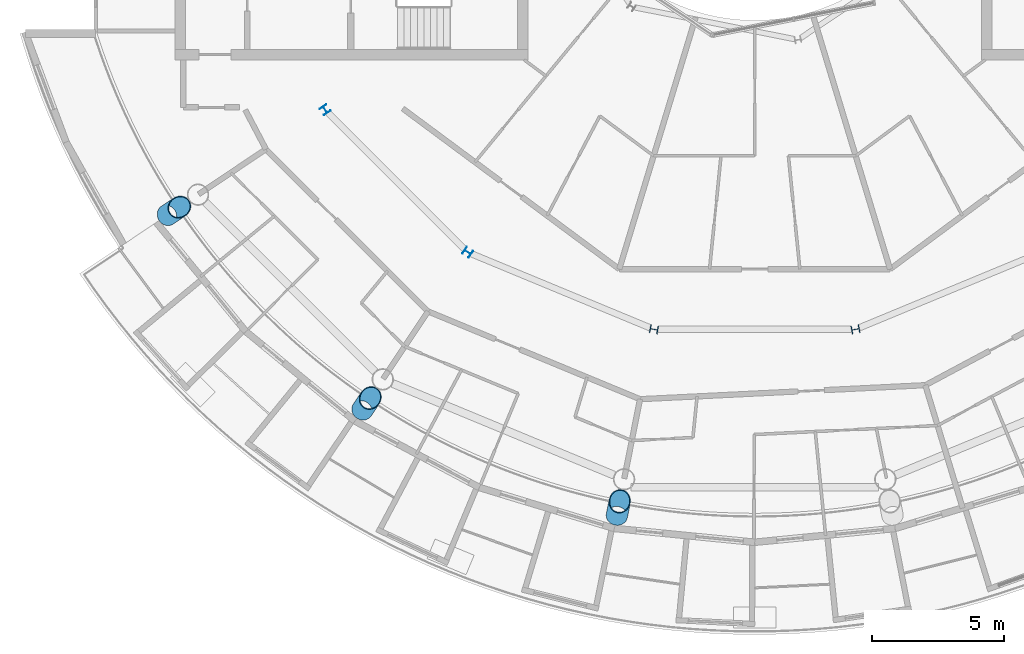
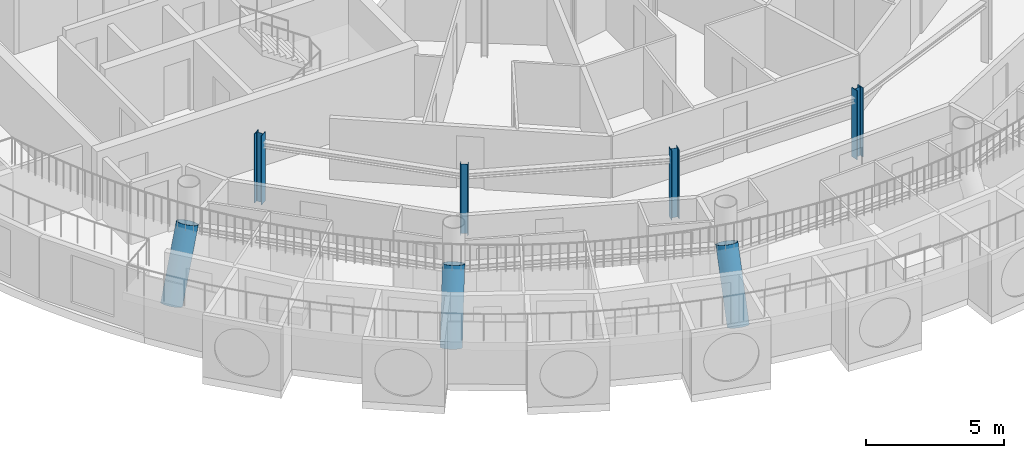
# One storey, part 1 of 29: 7 columns.
"""IFC4 building model written with IfcOpenShell, lengths in metres."""

from ifc_helpers import new_model, si_unit, direction, frame, origin, origin_2d, place, context, subcontext, project, spatial, hollow_circle, i_section, extrude, material, material_profile, profile_set, type_object, element, save


model = new_model("IFC4")

# Units and contexts
model_context = context("Model", 3, precision=1e-05, world=origin(), true_north=direction((0.0, 1.0)))
body_context = subcontext(model_context, "Body", "Model", "MODEL_VIEW")
ifc_project = project(units=[si_unit("LENGTHUNIT", "METRE"), si_unit("AREAUNIT", "SQUARE_METRE"), si_unit("VOLUMEUNIT", "CUBIC_METRE"), si_unit("PLANEANGLEUNIT", "RADIAN"), si_unit("MASSUNIT", "GRAM", prefix="KILO")], contexts=[model_context])

# Site, building, storey
site_placement = place(None, origin())
site = spatial("IfcSite", under=ifc_project, at=site_placement, CompositionType="ELEMENT")
building_placement = place(site_placement, origin())
building = spatial("IfcBuilding", under=site, at=building_placement, Name="Maasbend Ring Residences", CompositionType="ELEMENT")
storey_placement = place(building_placement, frame((0.0, 0.0, 234.050048828125)))
storey = spatial("IfcBuildingStorey", under=building, at=storey_placement, Name="L67", CompositionType="ELEMENT", Elevation=234.050048828125)

# Columns
ifc_material_1 = material(Name="Composite concrete-filled steel tube S460NH / C80/95", Category="concrete")
ifc_material_profile_1 = material_profile(ifc_material_1, hollow_circle(Radius=0.406494140625, WallThickness=0.030029296875, at=origin_2d()), Name="Composite tube column CHS 813x30")
ifc_profile_set_1 = profile_set([ifc_material_profile_1], Name="Composite concrete-filled steel tube S460NH / C80/95")
column_type_1 = type_object("IfcColumnType", Name="Composite tube column CHS 813x30", PredefinedType="COLUMN", material=ifc_profile_set_1)
for number, where, z_axis, x_axis, name in (
    (1, (-22.283447265625, -14.889404296875, 0.0), (0.346913947437, 0.231777820067, 0.908806775502), (-0.555532669549, 0.831494710184, 0.0), "Outer column R10"),
    (2, (-14.889404296875, -22.283447265625, 0.0), (0.231777820067, 0.346913947437, 0.908806775502), (-0.831494710184, 0.555532669549, 0.0), "Outer column R11"),
):
    element("IfcColumn", number, at=place(storey_placement, frame(where, z_axis=z_axis, x_axis=x_axis)), inside=storey, type_object=column_type_1, Name=name, PredefinedType="COLUMN", context=body_context, shape_type="SweptSolid", body=[
        extrude(hollow_circle(Radius=0.406494140625, WallThickness=0.030029296875, at=origin_2d()), origin(), (0.0, 0.0, 1.0), 3.0810546875),
    ])
column_placement = place(storey_placement, frame((-5.228515625, -26.284912109375, 0.0), z_axis=(0.081382632414, 0.409131968018, 0.908838764516), x_axis=(-0.980784718923, 0.195093144748, 0.0)))
element("IfcColumn", 3, at=column_placement, inside=storey, type_object=column_type_1, Name="Outer column R12", PredefinedType="COLUMN", context=body_context, shape_type="SweptSolid", body=[
    extrude(hollow_circle(Radius=0.406494140625, WallThickness=0.030029296875, at=origin_2d()), origin(), (0.0, 0.0, 1.0), 3.080810546875),
])
ifc_material_2 = material(Name="Steel S355J2", Category="steel")
ifc_material_profile_2 = material_profile(ifc_material_2, i_section(OverallWidth=0.300048828125, OverallDepth=0.300048828125, WebThickness=0.010986328125, FlangeThickness=0.01904296875, FilletRadius=0.027099609375, at=origin_2d()), Name="HEB 300")
ifc_profile_set_2 = profile_set([ifc_material_profile_2], Name="Steel S355J2")
column_type_2 = type_object("IfcColumnType", Name="Steel column HEB 300", PredefinedType="COLUMN", material=ifc_profile_set_2)
for number, where, z_axis, x_axis, name in (
    (4, (-16.296875, -10.88916015625, 0.0), (0.0, 0.0, 1.0), (-0.831469612303, -0.55557023302, 0.0), "Corridor ring column R10"),
    (5, (-10.88916015625, -16.296875, 0.0), (0.0, 0.0, 1.0), (-0.55557023302, -0.831469612303, 0.0), "Corridor ring column R11"),
    (6, (-3.82373046875, -19.223388671875, 0.0), (0.0, 0.0, 1.0), (-0.195090322016, -0.980785280403, 0.0), "Corridor ring column R12"),
    (7, (3.82373046875, -19.223388671875, 0.0), (0.0, 0.0, 1.0), (0.195090322016, -0.980785280403, 0.0), "Corridor ring column R13"),
):
    element("IfcColumn", number, at=place(storey_placement, frame(where, z_axis=z_axis, x_axis=x_axis)), inside=storey, type_object=column_type_2, Name=name, PredefinedType="COLUMN", context=body_context, shape_type="SweptSolid", body=[
        extrude(i_section(OverallWidth=0.300048828125, OverallDepth=0.300048828125, WebThickness=0.010986328125, FlangeThickness=0.01904296875, FilletRadius=0.027099609375, at=origin_2d()), origin(), (0.0, 0.0, 1.0), 3.050048828125),
    ])

save(model, "model.ifc")
